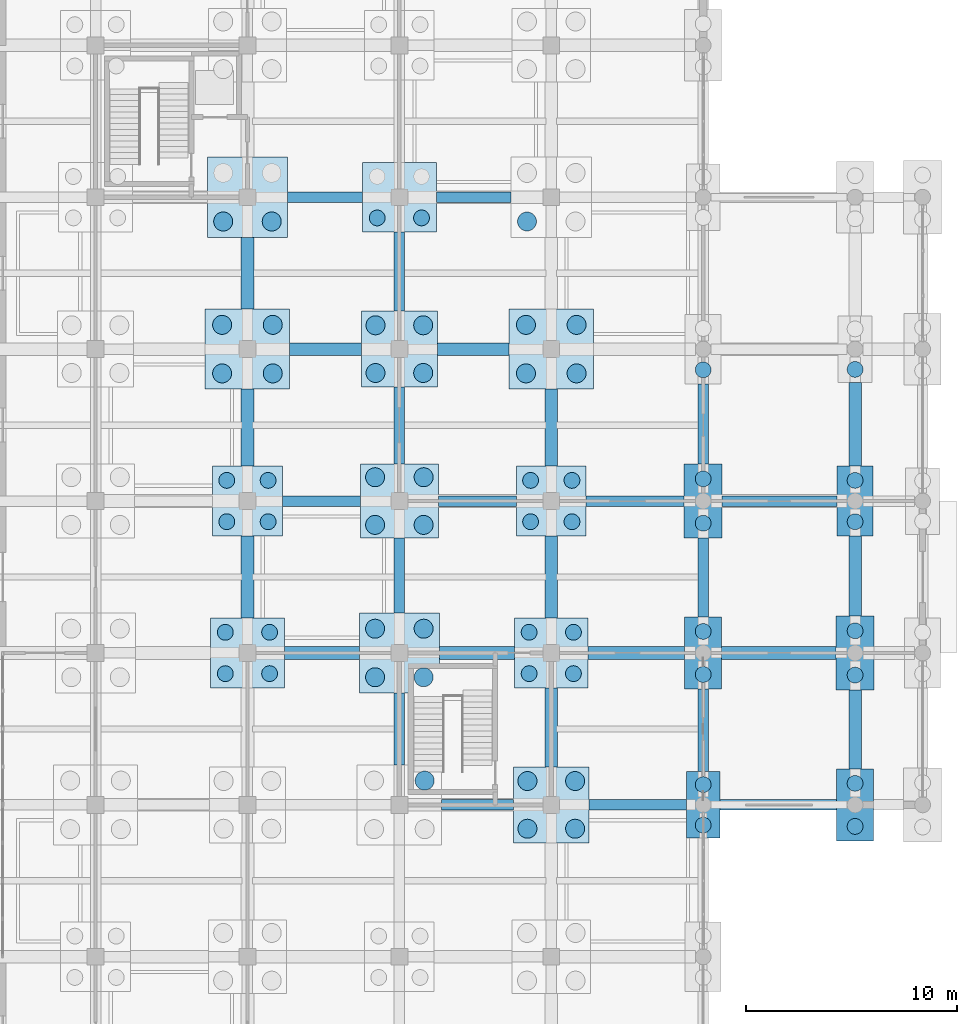
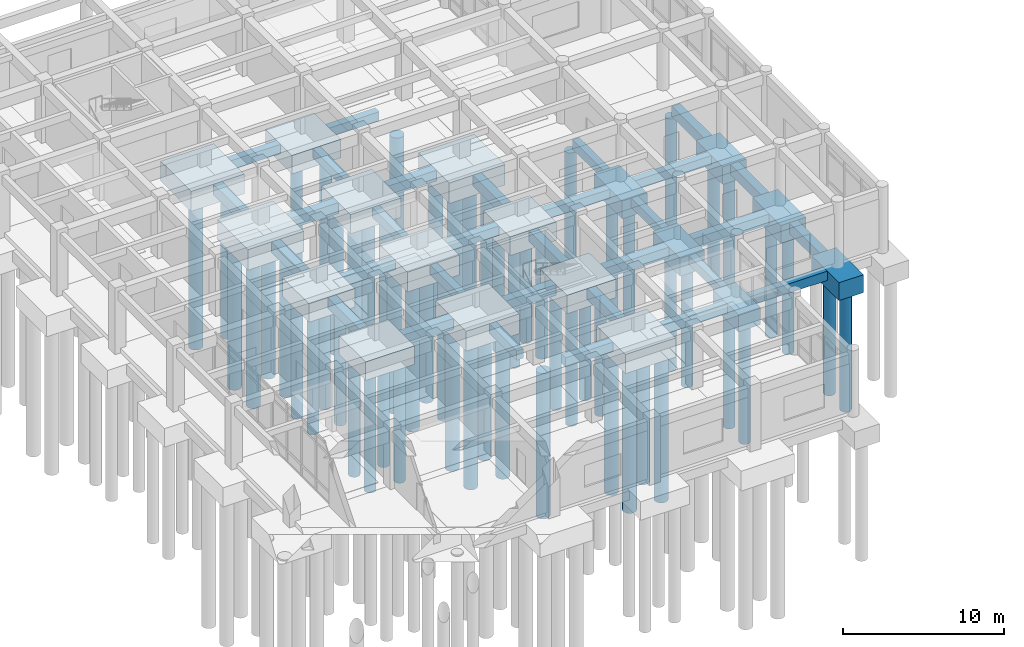
# One storey, part 14 of 79: 60 piles, 49 footings.
"""IFC4 building model written with IfcOpenShell, lengths in metres."""

import ifcopenshell
import ifcopenshell.guid

model = None  # the IFC model being written
_history = None  # IfcOwnerHistory: only IFC2X3 demands one
_inside = {}  # id of a spatial element -> (the spatial element, [elements in it])
_under = {}  # id of a project, library or spatial element -> (it, [spatial elements below it])
_declared = {}  # id of a project -> (the project, [libraries it declares])
_typed = {}  # id of a type object -> (the type object, [elements of that type])
_made_of = {}  # id of a material, layer set ... -> (it, [elements and type objects made of it])


def new_model(schema):
    """Start an empty IFC model of exactly this schema.

    Asked for "IFC4X3", IfcOpenShell would pick the latest addendum, in which some entities
    have other attributes; the version numbers below select the first issue.
    IFC2X3 requires an IfcOwnerHistory on every rooted entity: one is made here for all.
    """
    global model, _history
    if schema == "IFC4X3":
        model = ifcopenshell.file(schema_version=(4, 3, 0, 0))
    else:
        model = ifcopenshell.file(schema=schema)
    _inside.clear()
    _under.clear()
    _declared.clear()
    _typed.clear()
    _made_of.clear()
    _history = None
    if model.schema == "IFC2X3":
        org = make("IfcOrganization", Name="unknown")
        user = make(
            "IfcPersonAndOrganization",
            ThePerson=make("IfcPerson", FamilyName="unknown"),
            TheOrganization=org,
        )
        app = make(
            "IfcApplication",
            ApplicationDeveloper=org,
            Version="unknown",
            ApplicationFullName="unknown",
            ApplicationIdentifier="unknown",
        )
        _history = make(
            "IfcOwnerHistory",
            OwningUser=user,
            OwningApplication=app,
            ChangeAction="ADDED",
            CreationDate=0,
        )
    return model


def make(cls, **values):
    """One entity of the class cls with the attributes given. An attribute that is None is left unset."""
    return model.create_entity(
        cls, **{name: value for name, value in values.items() if value is not None}
    )


def rooted(cls, **values):
    """An entity with a GlobalId (a new one), such as an element, a storey or a relation."""
    return make(cls, GlobalId=ifcopenshell.guid.new(), OwnerHistory=_history, **values)


def si_unit(unit_type, name, prefix=None):
    """IfcSIUnit, for example si_unit("LENGTHUNIT", "METRE", prefix="MILLI")."""
    return make("IfcSIUnit", UnitType=unit_type, Prefix=prefix, Name=name)


def assignment(units):
    """IfcUnitAssignment: the units of a project."""
    return None if units is None else make("IfcUnitAssignment", Units=units)


def point(xyz):
    """IfcCartesianPoint."""
    return None if xyz is None else make("IfcCartesianPoint", Coordinates=xyz)


def direction(xyz):
    """IfcDirection."""
    return None if xyz is None else make("IfcDirection", DirectionRatios=xyz)


def frame(location, z_axis=None, x_axis=None):
    """IfcAxis2Placement3D, a coordinate frame: its origin and axes. An axis left out is left unset."""
    return make(
        "IfcAxis2Placement3D",
        Location=point(location),
        Axis=direction(z_axis),
        RefDirection=direction(x_axis),
    )


def frame_2d(location, x_axis=None):
    """IfcAxis2Placement2D, a coordinate frame in the plane: its origin and x axis."""
    return make(
        "IfcAxis2Placement2D", Location=point(location), RefDirection=direction(x_axis)
    )


def origin():
    """The frame at (0, 0, 0) with its axes left unset."""
    return frame((0.0, 0.0, 0.0))


def origin_2d():
    """The frame at (0, 0) in the plane with its x axis left unset."""
    return frame_2d((0.0, 0.0))


def place(relative_to, where):
    """IfcLocalPlacement: puts the frame where relative to a parent placement (None: the world)."""
    return make(
        "IfcLocalPlacement", PlacementRelTo=relative_to, RelativePlacement=where
    )


def context(
    kind, dimensions, precision=None, world=None, true_north=None, identifier=None
):
    """IfcGeometricRepresentationContext, for example the 3D "Model" context."""
    return make(
        "IfcGeometricRepresentationContext",
        ContextIdentifier=identifier,
        ContextType=kind,
        CoordinateSpaceDimension=dimensions,
        Precision=precision,
        WorldCoordinateSystem=world,
        TrueNorth=true_north,
    )


def subcontext(parent, identifier, kind, view, scale=None):
    """IfcGeometricRepresentationSubContext, for example "Body" below "Model"."""
    return make(
        "IfcGeometricRepresentationSubContext",
        ContextIdentifier=identifier,
        ContextType=kind,
        ParentContext=parent,
        TargetScale=scale,
        TargetView=view,
    )


def project(units=None, contexts=None):
    """IfcProject with its units and contexts."""
    return rooted(
        "IfcProject",
        Name="project",
        RepresentationContexts=contexts,
        UnitsInContext=assignment(units),
    )


def spatial(cls, under=None, at=None, **own):
    """A site, building, storey or space (cls), placed at a placement, below another one or the project."""
    s = rooted(cls, ObjectPlacement=at, **own)
    if under is not None:
        _under.setdefault(under.id(), (under, []))[1].append(s)
    return s


def polyline(points):
    """IfcPolyline through the points."""
    return make("IfcPolyline", Points=[point(p) for p in points])


def profile(cls, at=None, kind="AREA", **sizes):
    """A parametric profile (cls). Its sizes go by their IFC names, for example OverallWidth=200.0."""
    return make(cls, ProfileType=kind, Position=at, **sizes)


def rectangle(**sizes):
    """IfcRectangleProfileDef."""
    return profile("IfcRectangleProfileDef", **sizes)


def circle(**sizes):
    """IfcCircleProfileDef."""
    return profile("IfcCircleProfileDef", **sizes)


def outline(outer, holes=None, kind="AREA"):
    """IfcArbitraryClosedProfileDef: a profile drawn as a closed curve; with holes, ...WithVoids."""
    if holes is None:
        return make("IfcArbitraryClosedProfileDef", ProfileType=kind, OuterCurve=outer)
    return make(
        "IfcArbitraryProfileDefWithVoids",
        ProfileType=kind,
        OuterCurve=outer,
        InnerCurves=holes,
    )


def extrude(swept, where, along, depth):
    """IfcExtrudedAreaSolid: the profile swept, set in the frame where, extruded along a direction by depth."""
    return make(
        "IfcExtrudedAreaSolid",
        SweptArea=swept,
        Position=where,
        ExtrudedDirection=direction(along),
        Depth=depth,
    )


def shape(context_of_items, identifier, shape_type, items):
    """IfcShapeRepresentation: the items that make up one representation, for example the "Body"."""
    return make(
        "IfcShapeRepresentation",
        ContextOfItems=context_of_items,
        RepresentationIdentifier=identifier,
        RepresentationType=shape_type,
        Items=items,
    )


def material(Name=None, Category=None):
    """IfcMaterial."""
    return make("IfcMaterial", Name=Name, Category=Category)


def material_profile(
    of_material, cross_section, Name=None, Category=None, Priority=None
):
    """IfcMaterialProfile: a cross section and its material."""
    return make(
        "IfcMaterialProfile",
        Name=Name,
        Material=of_material,
        Profile=cross_section,
        Priority=Priority,
        Category=Category,
    )


def profile_set(profiles, Name=None, composite=None):
    """IfcMaterialProfileSet."""
    return make(
        "IfcMaterialProfileSet",
        Name=Name,
        MaterialProfiles=profiles,
        CompositeProfile=composite,
    )


def made_of(thing, what):
    """Note that an element or type object is made of a material, layer set ...; save() writes the relation."""
    if what is not None:
        _made_of.setdefault(what.id(), (what, []))[1].append(thing)
    return thing


def type_object(cls, material=None, **own):
    """A type object (cls), such as IfcWallType, which elements share."""
    return made_of(rooted(cls, **own), material)


def element(
    cls,
    number,
    at=None,
    inside=None,
    cuts=None,
    type_object=None,
    material=None,
    context=None,
    identifier="Body",
    shape_type=None,
    held_by="IfcProductDefinitionShape",
    body=None,
    shapes=None,
    **own,
):
    """One element of the class cls, such as IfcWall. Its Tag is "e" and its number.

    at: its placement. inside: the storey or other place that contains it. cuts: it is an
    opening in that element (IfcRelVoidsElement). A single representation is given by context,
    identifier, shape_type and body (its items); several are given by shapes. held_by: the class
    of the entity that holds the representations. save() writes the other relations.
    """
    e = rooted(cls, Tag="e%d" % number, ObjectPlacement=at, **own)
    if body is not None:
        shapes = [shape(context, identifier, shape_type, body)]
    if shapes is not None:
        e.Representation = make(held_by, Representations=shapes)
    if inside is not None:
        _inside.setdefault(inside.id(), (inside, []))[1].append(e)
    if cuts is not None:
        rooted(
            "IfcRelVoidsElement", RelatingBuildingElement=cuts, RelatedOpeningElement=e
        )
    if type_object is not None:
        _typed.setdefault(type_object.id(), (type_object, []))[1].append(e)
    return made_of(e, material)


def aggregate(whole, parts):
    """IfcRelAggregates: a whole, such as a stair, and the parts it consists of."""
    return rooted("IfcRelAggregates", RelatingObject=whole, RelatedObjects=parts)


def save(model, path):
    """Write the relations noted so far, then the file.

    IfcRelAggregates (storeys below a building ...), IfcRelContainedInSpatialStructure (elements
    in a storey), IfcRelDefinesByType, IfcRelAssociatesMaterial and IfcRelDeclares: one each for
    every whole, place, type object, material and project.
    """
    for whole, parts in _under.values():
        aggregate(whole, parts)
    for where, things in _inside.values():
        rooted(
            "IfcRelContainedInSpatialStructure",
            RelatedElements=things,
            RelatingStructure=where,
        )
    for kind, things in _typed.values():
        rooted("IfcRelDefinesByType", RelatedObjects=things, RelatingType=kind)
    for what, things in _made_of.values():
        rooted("IfcRelAssociatesMaterial", RelatedObjects=things, RelatingMaterial=what)
    for by, libraries in _declared.values():
        rooted("IfcRelDeclares", RelatingContext=by, RelatedDefinitions=libraries)
    model.write(path)


model = new_model("IFC4")

# Units and contexts
model_context = context("Model", 3, precision=1e-05, world=origin(), true_north=direction((0.0, 1.0)))
body_context = subcontext(model_context, "Body", "Model", "MODEL_VIEW")
ifc_project = project(units=[si_unit("LENGTHUNIT", "METRE"), si_unit("AREAUNIT", "SQUARE_METRE"), si_unit("VOLUMEUNIT", "CUBIC_METRE"), si_unit("PLANEANGLEUNIT", "RADIAN"), si_unit("MASSUNIT", "GRAM", prefix="KILO")], contexts=[model_context])

# Site, building, storey
site_placement = place(None, origin())
site = spatial("IfcSite", under=ifc_project, at=site_placement, CompositionType="ELEMENT")
building_placement = place(site_placement, origin())
building = spatial("IfcBuilding", under=site, at=building_placement, Name="Kavelor Marine Aquarium", CompositionType="ELEMENT")
storey_placement = place(building_placement, origin())
storey = spatial("IfcBuildingStorey", under=building, at=storey_placement, Name="L00", CompositionType="ELEMENT", Elevation=0.0)

# Footings
ifc_material_1 = material(Name="Concrete C40/50", Category="concrete")
footing_type_1 = type_object("IfcFootingType", Name="CAP-PC03", PredefinedType="PILE_CAP", material=ifc_material_1)
footing_1_placement = place(storey_placement, frame((0.0, 0.0, -1.89990234375)))
element("IfcFooting", 1, at=footing_1_placement, inside=storey, type_object=footing_type_1, Name="Pile Cap PC03 (19-M)", PredefinedType="PILE_CAP", context=body_context, shape_type="SweptSolid", body=[
    extrude(outline(polyline([(130.800048828125, 87.300048828125), (134.800048828125, 87.300048828125), (134.800048828125, 91.10009765625), (130.800048828125, 91.10009765625), (130.800048828125, 87.300048828125)])), origin(), (0.0, 0.0, 1.0), 1.5498046875),
])
footing_2_placement = place(storey_placement, frame((0.0, 0.0, -1.89990234375)))
element("IfcFooting", 2, at=footing_2_placement, inside=storey, type_object=footing_type_1, Name="Pile Cap PC03 (21-M)", PredefinedType="PILE_CAP", context=body_context, shape_type="SweptSolid", body=[
    extrude(outline(polyline([(145.199951171875, 87.300048828125), (149.199951171875, 87.300048828125), (149.199951171875, 91.10009765625), (145.199951171875, 91.10009765625), (145.199951171875, 87.300048828125)])), origin(), (0.0, 0.0, 1.0), 1.5498046875),
])
ifc_material_2 = material(Name="Concrete C40/50", Category="concrete")
footing_type_2 = type_object("IfcFootingType", Name="CAP-PC04", PredefinedType="PILE_CAP", material=ifc_material_2)
footing_3_placement = place(storey_placement, frame((0.0, 0.0, -1.85009765625)))
element("IfcFooting", 3, at=footing_3_placement, inside=storey, type_object=footing_type_2, Name="Pile Cap PC04 (19-N)", PredefinedType="PILE_CAP", context=body_context, shape_type="SweptSolid", body=[
    extrude(outline(polyline([(130.89990234375, 94.5), (134.699951171875, 94.5), (134.699951171875, 98.300048828125), (130.89990234375, 98.300048828125), (130.89990234375, 94.5)])), origin(), (0.0, 0.0, 1.0), 1.5),
])
footing_4_placement = place(storey_placement, frame((0.0, 0.0, -1.85009765625)))
element("IfcFooting", 4, at=footing_4_placement, inside=storey, type_object=footing_type_2, Name="Pile Cap PC04 (20-K)", PredefinedType="PILE_CAP", context=body_context, shape_type="SweptSolid", body=[
    extrude(outline(polyline([(138.10009765625, 72.89990234375), (141.89990234375, 72.89990234375), (141.89990234375, 76.699951171875), (138.10009765625, 76.699951171875), (138.10009765625, 72.89990234375)])), origin(), (0.0, 0.0, 1.0), 1.5),
])
ifc_material_3 = material(Name="Concrete C40/50", Category="concrete")
footing_type_3 = type_object("IfcFootingType", Name="CAP-PC05", PredefinedType="PILE_CAP", material=ifc_material_3)
footing_5_placement = place(storey_placement, frame((0.0, 0.0, -1.85009765625)))
element("IfcFooting", 5, at=footing_5_placement, inside=storey, type_object=footing_type_3, Name="Pile Cap PC05 (20-L)", PredefinedType="PILE_CAP", context=body_context, shape_type="SweptSolid", body=[
    extrude(outline(polyline([(138.14990234375, 80.25), (141.85009765625, 80.25), (141.85009765625, 83.75), (138.14990234375, 83.75), (138.14990234375, 80.25)])), origin(), (0.0, 0.0, 1.0), 1.5),
])
ifc_material_4 = material(Name="Concrete C40/50", Category="concrete")
footing_type_4 = type_object("IfcFootingType", Name="CAP-PC06", PredefinedType="PILE_CAP", material=ifc_material_4)
footing_6_placement = place(storey_placement, frame((0.0, 0.0, -1.800048828125)))
element("IfcFooting", 6, at=footing_6_placement, inside=storey, type_object=footing_type_4, Name="Pile Cap PC06 (20-M)", PredefinedType="PILE_CAP", context=body_context, shape_type="SweptSolid", body=[
    extrude(outline(polyline([(138.199951171875, 87.39990234375), (141.800048828125, 87.39990234375), (141.800048828125, 91.0), (138.199951171875, 91.0), (138.199951171875, 87.39990234375)])), origin(), (0.0, 0.0, 1.0), 1.449951171875),
])
footing_7_placement = place(storey_placement, frame((0.0, 0.0, -1.800048828125)))
element("IfcFooting", 7, at=footing_7_placement, inside=storey, type_object=footing_type_4, Name="Pile Cap PC06 (21-J)", PredefinedType="PILE_CAP", context=body_context, shape_type="SweptSolid", body=[
    extrude(outline(polyline([(145.39990234375, 65.800048828125), (149.0, 65.800048828125), (149.0, 69.39990234375), (145.39990234375, 69.39990234375), (145.39990234375, 65.800048828125)])), origin(), (0.0, 0.0, 1.0), 1.449951171875),
])
ifc_material_5 = material(Name="Concrete C40/50", Category="concrete")
footing_type_5 = type_object("IfcFootingType", Name="CAP-PC07", PredefinedType="PILE_CAP", material=ifc_material_5)
footing_8_placement = place(storey_placement, frame((0.0, 0.0, -1.75)))
element("IfcFooting", 8, at=footing_8_placement, inside=storey, type_object=footing_type_5, Name="Pile Cap PC07 (19-K)", PredefinedType="PILE_CAP", context=body_context, shape_type="SweptSolid", body=[
    extrude(outline(polyline([(131.050048828125, 73.14990234375), (134.550048828125, 73.14990234375), (134.550048828125, 76.449951171875), (131.050048828125, 76.449951171875), (131.050048828125, 73.14990234375)])), origin(), (0.0, 0.0, 1.0), 1.39990234375),
])
footing_9_placement = place(storey_placement, frame((0.0, 0.0, -1.75)))
element("IfcFooting", 9, at=footing_9_placement, inside=storey, type_object=footing_type_5, Name="Pile Cap PC07 (20-N)", PredefinedType="PILE_CAP", context=body_context, shape_type="SweptSolid", body=[
    extrude(outline(polyline([(138.25, 94.75), (141.75, 94.75), (141.75, 98.050048828125), (138.25, 98.050048828125), (138.25, 94.75)])), origin(), (0.0, 0.0, 1.0), 1.39990234375),
])
footing_10_placement = place(storey_placement, frame((0.0, 0.0, -1.75)))
element("IfcFooting", 10, at=footing_10_placement, inside=storey, type_object=footing_type_5, Name="Pile Cap PC07 (21-K)", PredefinedType="PILE_CAP", context=body_context, shape_type="SweptSolid", body=[
    extrude(outline(polyline([(145.449951171875, 73.14990234375), (148.949951171875, 73.14990234375), (148.949951171875, 76.449951171875), (145.449951171875, 76.449951171875), (145.449951171875, 73.14990234375)])), origin(), (0.0, 0.0, 1.0), 1.39990234375),
])
ifc_material_6 = material(Name="Concrete C40/50", Category="concrete")
footing_type_6 = type_object("IfcFootingType", Name="CAP-PC08", PredefinedType="PILE_CAP", material=ifc_material_6)
footing_11_placement = place(storey_placement, frame((0.0, 0.0, -1.75)))
element("IfcFooting", 11, at=footing_11_placement, inside=storey, type_object=footing_type_6, Name="Pile Cap PC08 (19-L)", PredefinedType="PILE_CAP", context=body_context, shape_type="SweptSolid", body=[
    extrude(outline(polyline([(131.14990234375, 80.35009765625), (134.449951171875, 80.35009765625), (134.449951171875, 83.64990234375), (131.14990234375, 83.64990234375), (131.14990234375, 80.35009765625)])), origin(), (0.0, 0.0, 1.0), 1.39990234375),
])
footing_12_placement = place(storey_placement, frame((0.0, 0.0, -1.75)))
element("IfcFooting", 12, at=footing_12_placement, inside=storey, type_object=footing_type_6, Name="Pile Cap PC08 (21-L)", PredefinedType="PILE_CAP", context=body_context, shape_type="SweptSolid", body=[
    extrude(outline(polyline([(145.550048828125, 80.35009765625), (148.85009765625, 80.35009765625), (148.85009765625, 83.64990234375), (145.550048828125, 83.64990234375), (145.550048828125, 80.35009765625)])), origin(), (0.0, 0.0, 1.0), 1.39990234375),
])
ifc_material_7 = material(Name="Concrete C40/50", Category="concrete")
footing_type_7 = type_object("IfcFootingType", Name="CAP-PC09", PredefinedType="PILE_CAP", material=ifc_material_7)
footing_13_placement = place(storey_placement, frame((0.0, 0.0, -1.699951171875)))
element("IfcFooting", 13, at=footing_13_placement, inside=storey, type_object=footing_type_7, Name="Pile Cap PC09 (22-L)", PredefinedType="PILE_CAP", context=body_context, shape_type="SweptSolid", body=[
    extrude(outline(polyline([(153.5, 80.25), (155.300048828125, 80.25), (155.300048828125, 83.75), (153.5, 83.75), (153.5, 80.25)])), origin(), (0.0, 0.0, 1.0), 1.349853515625),
])
footing_14_placement = place(storey_placement, frame((0.0, 0.0, -1.699951171875)))
element("IfcFooting", 14, at=footing_14_placement, inside=storey, type_object=footing_type_7, Name="Pile Cap PC09 (23-K)", PredefinedType="PILE_CAP", context=body_context, shape_type="SweptSolid", body=[
    extrude(outline(polyline([(160.699951171875, 73.050048828125), (162.5, 73.050048828125), (162.5, 76.550048828125), (160.699951171875, 76.550048828125), (160.699951171875, 73.050048828125)])), origin(), (0.0, 0.0, 1.0), 1.349853515625),
])
ifc_material_8 = material(Name="Concrete C40/50", Category="concrete")
footing_type_8 = type_object("IfcFootingType", Name="CAP-PC10", PredefinedType="PILE_CAP", material=ifc_material_8)
footing_15_placement = place(storey_placement, frame((0.0, 0.0, -1.699951171875)))
element("IfcFooting", 15, at=footing_15_placement, inside=storey, type_object=footing_type_8, Name="Pile Cap PC10 (23-L)", PredefinedType="PILE_CAP", context=body_context, shape_type="SweptSolid", body=[
    extrude(outline(polyline([(160.75, 80.35009765625), (162.449951171875, 80.35009765625), (162.449951171875, 83.64990234375), (160.75, 83.64990234375), (160.75, 80.35009765625)])), origin(), (0.0, 0.0, 1.0), 1.349853515625),
])
ifc_material_9 = material(Name="Concrete C40/50", Category="concrete")
footing_type_9 = type_object("IfcFootingType", Name="CAP-PC11", PredefinedType="PILE_CAP", material=ifc_material_9)
footing_16_placement = place(storey_placement, frame((0.0, 0.0, -1.64990234375)))
element("IfcFooting", 16, at=footing_16_placement, inside=storey, type_object=footing_type_9, Name="Pile Cap PC11 (22-J)", PredefinedType="PILE_CAP", context=body_context, shape_type="SweptSolid", body=[
    extrude(outline(polyline([(153.60009765625, 66.02490234375), (155.199951171875, 66.02490234375), (155.199951171875, 69.175048828125), (153.60009765625, 69.175048828125), (153.60009765625, 66.02490234375)])), origin(), (0.0, 0.0, 1.0), 1.2998046875),
])
ifc_material_10 = material(Name="Concrete C40/50", Category="concrete")
footing_type_10 = type_object("IfcFootingType", Name="CAP-PC12", PredefinedType="PILE_CAP", material=ifc_material_10)
footing_17_placement = place(storey_placement, frame((0.0, 0.0, -1.699951171875)))
element("IfcFooting", 17, at=footing_17_placement, inside=storey, type_object=footing_type_10, Name="Pile Cap PC12 (22-K)", PredefinedType="PILE_CAP", context=body_context, shape_type="SweptSolid", body=[
    extrude(outline(polyline([(153.52490234375, 73.10009765625), (155.27490234375, 73.10009765625), (155.27490234375, 76.5), (153.52490234375, 76.5), (153.52490234375, 73.10009765625)])), origin(), (0.0, 0.0, 1.0), 1.349853515625),
])
footing_18_placement = place(storey_placement, frame((0.0, 0.0, -1.699951171875)))
element("IfcFooting", 18, at=footing_18_placement, inside=storey, type_object=footing_type_10, Name="Pile Cap PC12 (23-J)", PredefinedType="PILE_CAP", context=body_context, shape_type="SweptSolid", body=[
    extrude(outline(polyline([(160.72509765625, 65.89990234375), (162.47509765625, 65.89990234375), (162.47509765625, 69.300048828125), (160.72509765625, 69.300048828125), (160.72509765625, 65.89990234375)])), origin(), (0.0, 0.0, 1.0), 1.349853515625),
])
ifc_material_11 = material(Name="Concrete C40/50", Category="concrete")
ifc_material_profile_1 = material_profile(ifc_material_11, rectangle(XDim=0.60009765625, YDim=0.800048828125, at=origin_2d()), Name="GB 600x800")
ifc_profile_set_1 = profile_set([ifc_material_profile_1], Name="Concrete C40/50")
footing_type_11 = type_object("IfcFootingType", Name="FTB-GB1", PredefinedType="FOOTING_BEAM", material=ifc_profile_set_1)
footing_19_placement = place(storey_placement, frame((134.550048828125, 74.800048828125, -0.75), z_axis=(1.0, 0.0, 0.0), x_axis=(0.0, 1.0, 0.0)))
element("IfcFooting", 19, at=footing_19_placement, inside=storey, type_object=footing_type_11, Name="ftb:x:18_10", PredefinedType="FOOTING_BEAM", context=body_context, shape_type="SweptSolid", body=[
    extrude(rectangle(XDim=0.60009765625, YDim=0.800048828125, at=origin_2d()), origin(), (0.0, 0.0, 1.0), 3.550048828125),
])
footing_20_placement = place(storey_placement, frame((132.800048828125, 76.449951171875, -0.75), z_axis=(0.0, 1.0, 0.0), x_axis=(-1.0, 0.0, 0.0)))
element("IfcFooting", 20, at=footing_20_placement, inside=storey, type_object=footing_type_11, Name="ftb:y:18_10", PredefinedType="FOOTING_BEAM", context=body_context, shape_type="SweptSolid", body=[
    extrude(rectangle(XDim=0.60009765625, YDim=0.800048828125, at=origin_2d()), origin(), (0.0, 0.0, 1.0), 3.900146484375),
])
footing_21_placement = place(storey_placement, frame((132.800048828125, 83.64990234375, -0.75), z_axis=(0.0, 1.0, 0.0), x_axis=(-1.0, 0.0, 0.0)))
element("IfcFooting", 21, at=footing_21_placement, inside=storey, type_object=footing_type_11, Name="ftb:y:18_11", PredefinedType="FOOTING_BEAM", context=body_context, shape_type="SweptSolid", body=[
    extrude(rectangle(XDim=0.60009765625, YDim=0.800048828125, at=origin_2d()), origin(), (0.0, 0.0, 1.0), 3.650146484375),
])
for number, where, z_axis, x_axis, name in (
    (22, (134.800048828125, 89.199951171875, -0.75), (1.0, 0.0, 0.0), (0.0, 1.0, 0.0), "ftb:x:18_12"),
    (23, (132.800048828125, 91.10009765625, -0.75), (0.0, 1.0, 0.0), (-1.0, 0.0, 0.0), "ftb:y:18_12"),
):
    element("IfcFooting", number, at=place(storey_placement, frame(where, z_axis=z_axis, x_axis=x_axis)), inside=storey, type_object=footing_type_11, Name=name, PredefinedType="FOOTING_BEAM", context=body_context, shape_type="SweptSolid", body=[
        extrude(rectangle(XDim=0.60009765625, YDim=0.800048828125, at=origin_2d()), origin(), (0.0, 0.0, 1.0), 3.39990234375),
    ])
footing_22_placement = place(storey_placement, frame((141.89990234375, 74.800048828125, -0.75), z_axis=(1.0, 0.0, 0.0), x_axis=(0.0, 1.0, 0.0)))
element("IfcFooting", 24, at=footing_22_placement, inside=storey, type_object=footing_type_11, Name="ftb:x:19_10", PredefinedType="FOOTING_BEAM", context=body_context, shape_type="SweptSolid", body=[
    extrude(rectangle(XDim=0.60009765625, YDim=0.800048828125, at=origin_2d()), origin(), (0.0, 0.0, 1.0), 3.550048828125),
])
footing_23_placement = place(storey_placement, frame((141.800048828125, 89.199951171875, -0.75), z_axis=(1.0, 0.0, 0.0), x_axis=(0.0, 1.0, 0.0)))
element("IfcFooting", 25, at=footing_23_placement, inside=storey, type_object=footing_type_11, Name="ftb:x:19_12", PredefinedType="FOOTING_BEAM", context=body_context, shape_type="SweptSolid", body=[
    extrude(rectangle(XDim=0.60009765625, YDim=0.800048828125, at=origin_2d()), origin(), (0.0, 0.0, 1.0), 3.39990234375),
])
footing_24_placement = place(storey_placement, frame((147.199951171875, 69.39990234375, -0.75), z_axis=(0.0, 1.0, 0.0), x_axis=(-1.0, 0.0, 0.0)))
element("IfcFooting", 26, at=footing_24_placement, inside=storey, type_object=footing_type_11, Name="ftb:y:20_09", PredefinedType="FOOTING_BEAM", context=body_context, shape_type="SweptSolid", body=[
    extrude(rectangle(XDim=0.60009765625, YDim=0.800048828125, at=origin_2d()), origin(), (0.0, 0.0, 1.0), 3.75),
])
footing_25_placement = place(storey_placement, frame((148.949951171875, 74.800048828125, -0.75), z_axis=(1.0, 0.0, 0.0), x_axis=(0.0, 1.0, 0.0)))
element("IfcFooting", 27, at=footing_25_placement, inside=storey, type_object=footing_type_11, Name="ftb:x:20_10", PredefinedType="FOOTING_BEAM", context=body_context, shape_type="SweptSolid", body=[
    extrude(rectangle(XDim=0.60009765625, YDim=0.800048828125, at=origin_2d()), origin(), (0.0, 0.0, 1.0), 4.574951171875),
])
footing_26_placement = place(storey_placement, frame((147.199951171875, 76.449951171875, -0.75), z_axis=(0.0, 1.0, 0.0), x_axis=(-1.0, 0.0, 0.0)))
element("IfcFooting", 28, at=footing_26_placement, inside=storey, type_object=footing_type_11, Name="ftb:y:20_10", PredefinedType="FOOTING_BEAM", context=body_context, shape_type="SweptSolid", body=[
    extrude(rectangle(XDim=0.60009765625, YDim=0.800048828125, at=origin_2d()), origin(), (0.0, 0.0, 1.0), 3.900146484375),
])
footing_27_placement = place(storey_placement, frame((147.199951171875, 83.64990234375, -0.75), z_axis=(0.0, 1.0, 0.0), x_axis=(-1.0, 0.0, 0.0)))
element("IfcFooting", 29, at=footing_27_placement, inside=storey, type_object=footing_type_11, Name="ftb:y:20_11", PredefinedType="FOOTING_BEAM", context=body_context, shape_type="SweptSolid", body=[
    extrude(rectangle(XDim=0.60009765625, YDim=0.800048828125, at=origin_2d()), origin(), (0.0, 0.0, 1.0), 3.650146484375),
])
footing_28_placement = place(storey_placement, frame((155.27490234375, 74.800048828125, -0.75), z_axis=(1.0, 0.0, 0.0), x_axis=(0.0, 1.0, 0.0)))
element("IfcFooting", 30, at=footing_28_placement, inside=storey, type_object=footing_type_11, Name="ftb:x:21_10", PredefinedType="FOOTING_BEAM", context=body_context, shape_type="SweptSolid", body=[
    extrude(rectangle(XDim=0.60009765625, YDim=0.800048828125, at=origin_2d()), origin(), (0.0, 0.0, 1.0), 5.425048828125),
])
footing_29_placement = place(storey_placement, frame((161.60009765625, 69.300048828125, -0.75), z_axis=(0.0, 1.0, 0.0), x_axis=(-1.0, 0.0, 0.0)))
element("IfcFooting", 31, at=footing_29_placement, inside=storey, type_object=footing_type_11, Name="ftb:y:22_09", PredefinedType="FOOTING_BEAM", context=body_context, shape_type="SweptSolid", body=[
    extrude(rectangle(XDim=0.60009765625, YDim=0.800048828125, at=origin_2d()), origin(), (0.0, 0.0, 1.0), 3.75),
])
footing_30_placement = place(storey_placement, frame((161.60009765625, 76.550048828125, -0.75), z_axis=(0.0, 1.0, 0.0), x_axis=(-1.0, 0.0, 0.0)))
element("IfcFooting", 32, at=footing_30_placement, inside=storey, type_object=footing_type_11, Name="ftb:y:22_10", PredefinedType="FOOTING_BEAM", context=body_context, shape_type="SweptSolid", body=[
    extrude(rectangle(XDim=0.60009765625, YDim=0.800048828125, at=origin_2d()), origin(), (0.0, 0.0, 1.0), 3.800048828125),
])
footing_31_placement = place(storey_placement, frame((161.60009765625, 83.64990234375, -0.75), z_axis=(0.0, 1.0, 0.0), x_axis=(-1.0, 0.0, 0.0)))
element("IfcFooting", 33, at=footing_31_placement, inside=storey, type_object=footing_type_11, Name="ftb:y:22_11", PredefinedType="FOOTING_BEAM", context=body_context, shape_type="SweptSolid", body=[
    extrude(rectangle(XDim=0.60009765625, YDim=0.800048828125, at=origin_2d()), origin(), (0.0, 0.0, 1.0), 3.97509765625),
])
ifc_material_12 = material(Name="Concrete C40/50", Category="concrete")
ifc_material_profile_2 = material_profile(ifc_material_12, rectangle(XDim=0.5, YDim=0.699951171875, at=origin_2d()), Name="GB 500x700")
ifc_profile_set_2 = profile_set([ifc_material_profile_2], Name="Concrete C40/50")
footing_type_12 = type_object("IfcFootingType", Name="FTB-GB2", PredefinedType="FOOTING_BEAM", material=ifc_profile_set_2)
footing_32_placement = place(storey_placement, frame((134.449951171875, 82.0, -0.699951171875), z_axis=(1.0, 0.0, 0.0), x_axis=(0.0, 1.0, 0.0)))
element("IfcFooting", 34, at=footing_32_placement, inside=storey, type_object=footing_type_12, Name="ftb:x:18_11", PredefinedType="FOOTING_BEAM", context=body_context, shape_type="SweptSolid", body=[
    extrude(rectangle(XDim=0.5, YDim=0.699951171875, at=origin_2d()), origin(), (0.0, 0.0, 1.0), 3.699951171875),
])
footing_33_placement = place(storey_placement, frame((134.699951171875, 96.39990234375, -0.699951171875), z_axis=(1.0, 0.0, 0.0), x_axis=(0.0, 1.0, 0.0)))
element("IfcFooting", 35, at=footing_33_placement, inside=storey, type_object=footing_type_12, Name="ftb:x:18_13", PredefinedType="FOOTING_BEAM", context=body_context, shape_type="SweptSolid", body=[
    extrude(rectangle(XDim=0.5, YDim=0.699951171875, at=origin_2d()), origin(), (0.0, 0.0, 1.0), 3.550048828125),
])
for number, where, z_axis, x_axis, name in (
    (36, (142.0, 67.60009765625, -0.699951171875), (1.0, 0.0, 0.0), (0.0, 1.0, 0.0), "ftb:x:19_09"),
    (37, (140.0, 69.5, -0.699951171875), (0.0, 1.0, 0.0), (-1.0, 0.0, 0.0), "ftb:y:19_09"),
):
    element("IfcFooting", number, at=place(storey_placement, frame(where, z_axis=z_axis, x_axis=x_axis)), inside=storey, type_object=footing_type_12, Name=name, PredefinedType="FOOTING_BEAM", context=body_context, shape_type="SweptSolid", body=[
        extrude(rectangle(XDim=0.5, YDim=0.699951171875, at=origin_2d()), origin(), (0.0, 0.0, 1.0), 3.39990234375),
    ])
footing_34_placement = place(storey_placement, frame((140.0, 76.699951171875, -0.699951171875), z_axis=(0.0, 1.0, 0.0), x_axis=(-1.0, 0.0, 0.0)))
element("IfcFooting", 38, at=footing_34_placement, inside=storey, type_object=footing_type_12, Name="ftb:y:19_10", PredefinedType="FOOTING_BEAM", context=body_context, shape_type="SweptSolid", body=[
    extrude(rectangle(XDim=0.5, YDim=0.699951171875, at=origin_2d()), origin(), (0.0, 0.0, 1.0), 3.550048828125),
])
footing_35_placement = place(storey_placement, frame((141.85009765625, 82.0, -0.699951171875), z_axis=(1.0, 0.0, 0.0), x_axis=(0.0, 1.0, 0.0)))
element("IfcFooting", 39, at=footing_35_placement, inside=storey, type_object=footing_type_12, Name="ftb:x:19_11", PredefinedType="FOOTING_BEAM", context=body_context, shape_type="SweptSolid", body=[
    extrude(rectangle(XDim=0.5, YDim=0.699951171875, at=origin_2d()), origin(), (0.0, 0.0, 1.0), 3.699951171875),
])
footing_36_placement = place(storey_placement, frame((140.0, 83.75, -0.699951171875), z_axis=(0.0, 1.0, 0.0), x_axis=(-1.0, 0.0, 0.0)))
element("IfcFooting", 40, at=footing_36_placement, inside=storey, type_object=footing_type_12, Name="ftb:y:19_11", PredefinedType="FOOTING_BEAM", context=body_context, shape_type="SweptSolid", body=[
    extrude(rectangle(XDim=0.5, YDim=0.699951171875, at=origin_2d()), origin(), (0.0, 0.0, 1.0), 3.64990234375),
])
footing_37_placement = place(storey_placement, frame((140.0, 91.0, -0.699951171875), z_axis=(0.0, 1.0, 0.0), x_axis=(-1.0, 0.0, 0.0)))
element("IfcFooting", 41, at=footing_37_placement, inside=storey, type_object=footing_type_12, Name="ftb:y:19_12", PredefinedType="FOOTING_BEAM", context=body_context, shape_type="SweptSolid", body=[
    extrude(rectangle(XDim=0.5, YDim=0.699951171875, at=origin_2d()), origin(), (0.0, 0.0, 1.0), 3.75),
])
footing_38_placement = place(storey_placement, frame((141.75, 96.39990234375, -0.699951171875), z_axis=(1.0, 0.0, 0.0), x_axis=(0.0, 1.0, 0.0)))
element("IfcFooting", 42, at=footing_38_placement, inside=storey, type_object=footing_type_12, Name="ftb:x:19_13", PredefinedType="FOOTING_BEAM", context=body_context, shape_type="SweptSolid", body=[
    extrude(rectangle(XDim=0.5, YDim=0.699951171875, at=origin_2d()), origin(), (0.0, 0.0, 1.0), 3.550048828125),
])
footing_39_placement = place(storey_placement, frame((149.0, 67.60009765625, -0.699951171875), z_axis=(1.0, 0.0, 0.0), x_axis=(0.0, 1.0, 0.0)))
element("IfcFooting", 43, at=footing_39_placement, inside=storey, type_object=footing_type_12, Name="ftb:x:20_09", PredefinedType="FOOTING_BEAM", context=body_context, shape_type="SweptSolid", body=[
    extrude(rectangle(XDim=0.5, YDim=0.699951171875, at=origin_2d()), origin(), (0.0, 0.0, 1.0), 4.60009765625),
])
footing_40_placement = place(storey_placement, frame((148.85009765625, 82.0, -0.699951171875), z_axis=(1.0, 0.0, 0.0), x_axis=(0.0, 1.0, 0.0)))
element("IfcFooting", 44, at=footing_40_placement, inside=storey, type_object=footing_type_12, Name="ftb:x:20_11", PredefinedType="FOOTING_BEAM", context=body_context, shape_type="SweptSolid", body=[
    extrude(rectangle(XDim=0.5, YDim=0.699951171875, at=origin_2d()), origin(), (0.0, 0.0, 1.0), 4.64990234375),
])
footing_41_placement = place(storey_placement, frame((155.199951171875, 67.60009765625, -0.699951171875), z_axis=(1.0, 0.0, 0.0), x_axis=(0.0, 1.0, 0.0)))
element("IfcFooting", 45, at=footing_41_placement, inside=storey, type_object=footing_type_12, Name="ftb:x:21_09", PredefinedType="FOOTING_BEAM", context=body_context, shape_type="SweptSolid", body=[
    extrude(rectangle(XDim=0.5, YDim=0.699951171875, at=origin_2d()), origin(), (0.0, 0.0, 1.0), 5.525146484375),
])
footing_42_placement = place(storey_placement, frame((154.39990234375, 69.175048828125, -0.699951171875), z_axis=(0.0, 1.0, 0.0), x_axis=(-1.0, 0.0, 0.0)))
element("IfcFooting", 46, at=footing_42_placement, inside=storey, type_object=footing_type_12, Name="ftb:y:21_09", PredefinedType="FOOTING_BEAM", context=body_context, shape_type="SweptSolid", body=[
    extrude(rectangle(XDim=0.5, YDim=0.699951171875, at=origin_2d()), origin(), (0.0, 0.0, 1.0), 3.925048828125),
])
footing_43_placement = place(storey_placement, frame((154.39990234375, 76.5, -0.699951171875), z_axis=(0.0, 1.0, 0.0), x_axis=(-1.0, 0.0, 0.0)))
element("IfcFooting", 47, at=footing_43_placement, inside=storey, type_object=footing_type_12, Name="ftb:y:21_10", PredefinedType="FOOTING_BEAM", context=body_context, shape_type="SweptSolid", body=[
    extrude(rectangle(XDim=0.5, YDim=0.699951171875, at=origin_2d()), origin(), (0.0, 0.0, 1.0), 3.75),
])
footing_44_placement = place(storey_placement, frame((155.300048828125, 82.0, -0.699951171875), z_axis=(1.0, 0.0, 0.0), x_axis=(0.0, 1.0, 0.0)))
element("IfcFooting", 48, at=footing_44_placement, inside=storey, type_object=footing_type_12, Name="ftb:x:21_11", PredefinedType="FOOTING_BEAM", context=body_context, shape_type="SweptSolid", body=[
    extrude(rectangle(XDim=0.5, YDim=0.699951171875, at=origin_2d()), origin(), (0.0, 0.0, 1.0), 5.449951171875),
])
footing_45_placement = place(storey_placement, frame((154.39990234375, 83.75, -0.699951171875), z_axis=(0.0, 1.0, 0.0), x_axis=(-1.0, 0.0, 0.0)))
element("IfcFooting", 49, at=footing_45_placement, inside=storey, type_object=footing_type_12, Name="ftb:y:21_11", PredefinedType="FOOTING_BEAM", context=body_context, shape_type="SweptSolid", body=[
    extrude(rectangle(XDim=0.5, YDim=0.699951171875, at=origin_2d()), origin(), (0.0, 0.0, 1.0), 3.800048828125),
])

# Piles
ifc_material_13 = material(Name="Concrete C40/50", Category="concrete")
ifc_material_profile_3 = material_profile(ifc_material_13, circle(Radius=0.449951171875, at=origin_2d()), Name="PILE D900")
ifc_profile_set_3 = profile_set([ifc_material_profile_3], Name="Concrete C40/50")
pile_type_1 = type_object("IfcPileType", Name="PILE-P2", PredefinedType="BORED", material=ifc_profile_set_3)
for number, where, z_axis, x_axis, name in (
    (50, (131.60009765625, 88.050048828125, -1.800048828125), (0.0, 0.0, -1.0), (1.0, 0.0, 0.0), "Bored Pile P2 (19-M-1)"),
    (51, (134.0, 88.050048828125, -1.800048828125), (0.0, 0.0, -1.0), (1.0, 0.0, 0.0), "Bored Pile P2 (19-M-2)"),
    (52, (131.60009765625, 90.35009765625, -1.800048828125), (0.0, 0.0, -1.0), (1.0, 0.0, 0.0), "Bored Pile P2 (19-M-3)"),
    (53, (134.0, 90.35009765625, -1.800048828125), (0.0, 0.0, -1.0), (1.0, 0.0, 0.0), "Bored Pile P2 (19-M-4)"),
    (54, (131.64990234375, 95.25, -1.75), (0.0, 0.0, -1.0), (1.0, 0.0, 0.0), "Bored Pile P2 (19-N-1)"),
    (55, (133.949951171875, 95.25, -1.75), (0.0, 0.0, -1.0), (1.0, 0.0, 0.0), "Bored Pile P2 (19-N-2)"),
    (56, (141.199951171875, 68.75, -1.800048828125), (0.0, 0.0, -1.0), (1.0, 0.0, 0.0), "Bored Pile P2 (20-J-4)"),
    (57, (138.85009765625, 73.64990234375, -1.75), (0.0, 0.0, -1.0), (1.0, 0.0, 0.0), "Bored Pile P2 (20-K-1)"),
    (58, (141.14990234375, 73.64990234375, -1.75), (0.0, 0.0, -1.0), (1.0, 0.0, 0.0), "Bored Pile P2 (20-K-2)"),
    (59, (138.85009765625, 75.949951171875, -1.75), (0.0, 0.0, -1.0), (1.0, 0.0, 0.0), "Bored Pile P2 (20-K-3)"),
    (60, (141.14990234375, 75.949951171875, -1.75), (0.0, 0.0, -1.0), (1.0, 0.0, 0.0), "Bored Pile P2 (20-K-4)"),
    (61, (138.85009765625, 80.8701171875, -1.75), (0.0, 0.0, -1.0), (1.0, 0.0, 0.0), "Bored Pile P2 (20-L-1)"),
    (62, (141.14990234375, 80.8701171875, -1.75), (0.0, 0.0, -1.0), (1.0, 0.0, 0.0), "Bored Pile P2 (20-L-2)"),
    (63, (138.85009765625, 83.1298828125, -1.75), (0.0, 0.0, -1.0), (1.0, 0.0, 0.0), "Bored Pile P2 (20-L-3)"),
    (64, (141.14990234375, 83.1298828125, -1.75), (0.0, 0.0, -1.0), (1.0, 0.0, 0.0), "Bored Pile P2 (20-L-4)"),
    (65, (138.8701171875, 88.070068359375, -1.699951171875), (0.0, 0.0, -1.0), (1.0, 0.0, 0.0), "Bored Pile P2 (20-M-1)"),
    (66, (141.1298828125, 88.070068359375, -1.699951171875), (0.0, 0.0, -1.0), (1.0, 0.0, 0.0), "Bored Pile P2 (20-M-2)"),
    (67, (138.8701171875, 90.330078125, -1.699951171875), (0.0, 0.0, -1.0), (1.0, 0.0, 0.0), "Bored Pile P2 (20-M-3)"),
    (68, (141.1298828125, 90.330078125, -1.699951171875), (0.0, 0.0, -1.0), (1.0, 0.0, 0.0), "Bored Pile P2 (20-M-4)"),
    (69, (146.070068359375, 66.469970703125, -1.699951171875), (0.0, 0.0, -1.0), (1.0, 0.0, 0.0), "Bored Pile P2 (21-J-1)"),
    (70, (148.330078125, 66.469970703125, -1.699951171875), (0.0, 0.0, -1.0), (1.0, 0.0, 0.0), "Bored Pile P2 (21-J-2)"),
    (71, (146.070068359375, 68.72998046875, -1.699951171875), (0.0, 0.0, -1.0), (1.0, 0.0, 0.0), "Bored Pile P2 (21-J-3)"),
    (72, (148.330078125, 68.72998046875, -1.699951171875), (0.0, 0.0, -1.0), (1.0, 0.0, 0.0), "Bored Pile P2 (21-J-4)"),
    (73, (146.0, 88.050048828125, -1.800048828125), (0.0, 0.0, -1.0), (1.0, 0.0, 0.0), "Bored Pile P2 (21-M-1)"),
    (74, (148.39990234375, 88.050048828125, -1.800048828125), (0.0, 0.0, -1.0), (1.0, 0.0, 0.0), "Bored Pile P2 (21-M-2)"),
    (75, (146.0, 90.35009765625, -1.800048828125), (0.0, 0.0, -1.0), (1.0, 0.0, 0.0), "Bored Pile P2 (21-M-3)"),
    (76, (148.39990234375, 90.35009765625, -1.800048828125), (0.0, 0.0, -1.0), (1.0, 0.0, 0.0), "Bored Pile P2 (21-M-4)"),
    (77, (146.050048828125, 95.25, -1.75), (0.0, 0.0, -1.0), (1.0, 0.0, 0.0), "Bored Pile P2 (21-N-1)"),
):
    element("IfcPile", number, at=place(storey_placement, frame(where, z_axis=z_axis, x_axis=x_axis)), inside=storey, type_object=pile_type_1, Name=name, PredefinedType="BORED", context=body_context, shape_type="SweptSolid", body=[
        extrude(circle(Radius=0.449951171875, at=origin_2d()), origin(), (0.0, 0.0, 1.0), 11.0),
    ])
ifc_material_14 = material(Name="Concrete C40/50", Category="concrete")
ifc_material_profile_4 = material_profile(ifc_material_14, circle(Radius=0.375, at=origin_2d()), Name="PILE D750")
ifc_profile_set_4 = profile_set([ifc_material_profile_4], Name="Concrete C40/50")
pile_type_2 = type_object("IfcPileType", Name="PILE-P3", PredefinedType="BORED", material=ifc_profile_set_4)
for number, where, z_axis, x_axis, name in (
    (78, (131.75, 73.820068359375, -1.64990234375), (0.0, 0.0, -1.0), (1.0, 0.0, 0.0), "Bored Pile P3 (19-K-1)"),
    (79, (133.85009765625, 73.820068359375, -1.64990234375), (0.0, 0.0, -1.0), (1.0, 0.0, 0.0), "Bored Pile P3 (19-K-2)"),
    (80, (131.75, 75.780029296875, -1.64990234375), (0.0, 0.0, -1.0), (1.0, 0.0, 0.0), "Bored Pile P3 (19-K-3)"),
    (81, (133.85009765625, 75.780029296875, -1.64990234375), (0.0, 0.0, -1.0), (1.0, 0.0, 0.0), "Bored Pile P3 (19-K-4)"),
    (82, (131.820068359375, 81.02001953125, -1.64990234375), (0.0, 0.0, -1.0), (1.0, 0.0, 0.0), "Bored Pile P3 (19-L-1)"),
    (83, (133.780029296875, 81.02001953125, -1.64990234375), (0.0, 0.0, -1.0), (1.0, 0.0, 0.0), "Bored Pile P3 (19-L-2)"),
    (84, (131.820068359375, 82.97998046875, -1.64990234375), (0.0, 0.0, -1.0), (1.0, 0.0, 0.0), "Bored Pile P3 (19-L-3)"),
    (85, (133.780029296875, 82.97998046875, -1.64990234375), (0.0, 0.0, -1.0), (1.0, 0.0, 0.0), "Bored Pile P3 (19-L-4)"),
    (86, (138.949951171875, 95.419921875, -1.64990234375), (0.0, 0.0, -1.0), (1.0, 0.0, 0.0), "Bored Pile P3 (20-N-1)"),
    (87, (141.050048828125, 95.419921875, -1.64990234375), (0.0, 0.0, -1.0), (1.0, 0.0, 0.0), "Bored Pile P3 (20-N-2)"),
    (88, (146.14990234375, 73.820068359375, -1.64990234375), (0.0, 0.0, -1.0), (1.0, 0.0, 0.0), "Bored Pile P3 (21-K-1)"),
    (89, (148.25, 73.820068359375, -1.64990234375), (0.0, 0.0, -1.0), (1.0, 0.0, 0.0), "Bored Pile P3 (21-K-2)"),
    (90, (146.14990234375, 75.780029296875, -1.64990234375), (0.0, 0.0, -1.0), (1.0, 0.0, 0.0), "Bored Pile P3 (21-K-3)"),
    (91, (148.25, 75.780029296875, -1.64990234375), (0.0, 0.0, -1.0), (1.0, 0.0, 0.0), "Bored Pile P3 (21-K-4)"),
    (92, (146.219970703125, 81.02001953125, -1.64990234375), (0.0, 0.0, -1.0), (1.0, 0.0, 0.0), "Bored Pile P3 (21-L-1)"),
    (93, (148.179931640625, 81.02001953125, -1.64990234375), (0.0, 0.0, -1.0), (1.0, 0.0, 0.0), "Bored Pile P3 (21-L-2)"),
    (94, (146.219970703125, 82.97998046875, -1.64990234375), (0.0, 0.0, -1.0), (1.0, 0.0, 0.0), "Bored Pile P3 (21-L-3)"),
    (95, (148.179931640625, 82.97998046875, -1.64990234375), (0.0, 0.0, -1.0), (1.0, 0.0, 0.0), "Bored Pile P3 (21-L-4)"),
    (96, (154.39990234375, 66.639892578125, -1.550048828125), (0.0, 0.0, -1.0), (1.0, 0.0, 0.0), "Bored Pile P3 (22-J-1)"),
    (97, (154.39990234375, 68.56005859375, -1.550048828125), (0.0, 0.0, -1.0), (1.0, 0.0, 0.0), "Bored Pile P3 (22-J-2)"),
    (98, (154.39990234375, 73.780029296875, -1.60009765625), (0.0, 0.0, -1.0), (1.0, 0.0, 0.0), "Bored Pile P3 (22-K-1)"),
    (99, (154.39990234375, 75.820068359375, -1.60009765625), (0.0, 0.0, -1.0), (1.0, 0.0, 0.0), "Bored Pile P3 (22-K-2)"),
    (100, (154.39990234375, 80.949951171875, -1.60009765625), (0.0, 0.0, -1.0), (1.0, 0.0, 0.0), "Bored Pile P3 (22-L-1)"),
    (101, (154.39990234375, 83.050048828125, -1.60009765625), (0.0, 0.0, -1.0), (1.0, 0.0, 0.0), "Bored Pile P3 (22-L-2)"),
    (102, (154.39990234375, 88.219970703125, -1.60009765625), (0.0, 0.0, -1.0), (1.0, 0.0, 0.0), "Bored Pile P3 (22-M-1)"),
    (103, (161.60009765625, 66.580078125, -1.60009765625), (0.0, 0.0, -1.0), (1.0, 0.0, 0.0), "Bored Pile P3 (23-J-1)"),
    (104, (161.60009765625, 68.6201171875, -1.60009765625), (0.0, 0.0, -1.0), (1.0, 0.0, 0.0), "Bored Pile P3 (23-J-2)"),
    (105, (161.60009765625, 73.75, -1.60009765625), (0.0, 0.0, -1.0), (1.0, 0.0, 0.0), "Bored Pile P3 (23-K-1)"),
    (106, (161.60009765625, 75.85009765625, -1.60009765625), (0.0, 0.0, -1.0), (1.0, 0.0, 0.0), "Bored Pile P3 (23-K-2)"),
    (107, (161.60009765625, 81.02001953125, -1.60009765625), (0.0, 0.0, -1.0), (1.0, 0.0, 0.0), "Bored Pile P3 (23-L-1)"),
    (108, (161.60009765625, 82.97998046875, -1.60009765625), (0.0, 0.0, -1.0), (1.0, 0.0, 0.0), "Bored Pile P3 (23-L-2)"),
    (109, (161.60009765625, 88.239990234375, -1.550048828125), (0.0, 0.0, -1.0), (1.0, 0.0, 0.0), "Bored Pile P3 (23-M-1)"),
):
    element("IfcPile", number, at=place(storey_placement, frame(where, z_axis=z_axis, x_axis=x_axis)), inside=storey, type_object=pile_type_2, Name=name, PredefinedType="BORED", context=body_context, shape_type="SweptSolid", body=[
        extrude(circle(Radius=0.375, at=origin_2d()), origin(), (0.0, 0.0, 1.0), 9.0),
    ])

save(model, "model.ifc")
